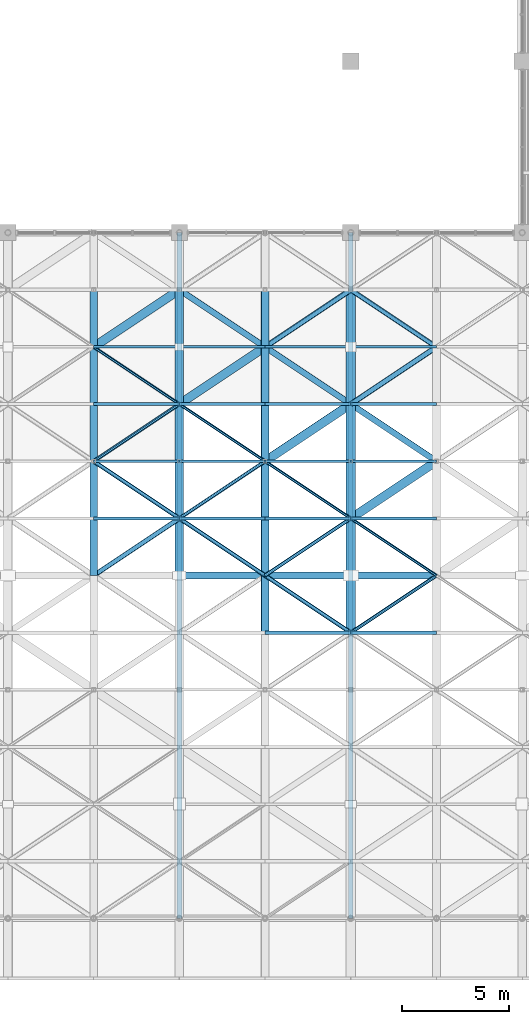
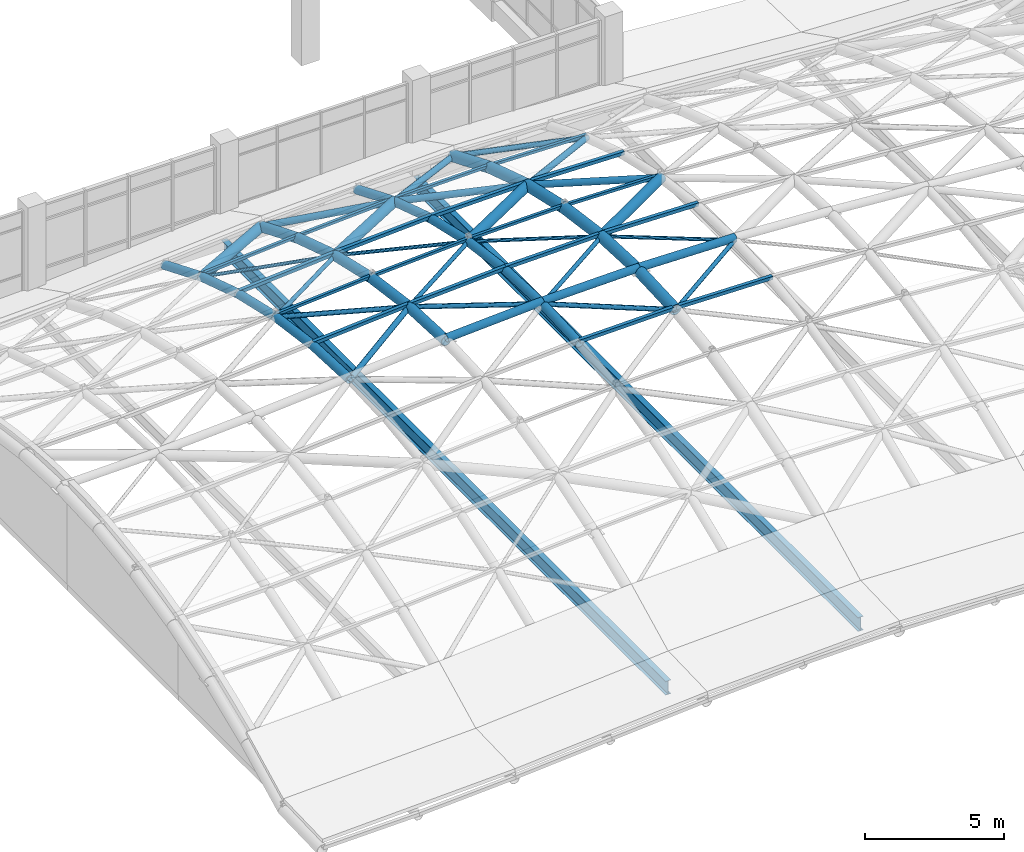
# One storey, part 30 of 72: 43 members, 24 beams.
"""IFC4 building model written with IfcOpenShell, lengths in metres."""

from ifc_helpers import new_model, si_unit, direction, frame, origin, origin_2d, place, context, subcontext, project, spatial, hollow_rectangle, hollow_circle, i_section, extrude, material, material_profile, profile_set, type_object, element, save


model = new_model("IFC4")

# Units and contexts
model_context = context("Model", 3, precision=1e-05, world=origin(), true_north=direction((0.0, 1.0)))
body_context = subcontext(model_context, "Body", "Model", "MODEL_VIEW")
ifc_project = project(units=[si_unit("LENGTHUNIT", "METRE"), si_unit("AREAUNIT", "SQUARE_METRE"), si_unit("VOLUMEUNIT", "CUBIC_METRE"), si_unit("PLANEANGLEUNIT", "RADIAN"), si_unit("MASSUNIT", "GRAM", prefix="KILO")], contexts=[model_context])

# Site, building, storey
site_placement = place(None, origin())
site = spatial("IfcSite", under=ifc_project, at=site_placement, CompositionType="ELEMENT")
building_placement = place(site_placement, origin())
building = spatial("IfcBuilding", under=site, at=building_placement, Name="Tenunan Teduh Sports Hall", CompositionType="ELEMENT")
storey_placement = place(building_placement, frame((0.0, 0.0, 15.0)))
storey = spatial("IfcBuildingStorey", under=building, at=storey_placement, Name="L03", CompositionType="ELEMENT", Elevation=15.0)

# Beams
ifc_material_1 = material(Name="Steel S355", Category="steel")
ifc_material_profile_1 = material_profile(ifc_material_1, hollow_circle(Radius=0.177734375, WallThickness=0.012451171875, at=origin_2d()), Name="CHS 355.6x12.5")
ifc_profile_set_1 = profile_set([ifc_material_profile_1], Name="Steel S355")
beam_type_1 = type_object("IfcBeamType", Name="GSB-CHS356", PredefinedType="BEAM", material=ifc_profile_set_1)
beam_1_placement = place(storey_placement, frame((134.0, 30.0, 4.6201171875), z_axis=(0.0, 0.998970613421, -0.045362027305), x_axis=(-1.0, 0.0, 0.0)))
element("IfcBeam", 1, at=beam_1_placement, inside=storey, type_object=beam_type_1, Name="Gridshell Vault Arch BM-GR-04-L03-0115", PredefinedType="BEAM", context=body_context, shape_type="SweptSolid", body=[
    extrude(hollow_circle(Radius=0.177734375, WallThickness=0.012451171875, at=origin_2d()), origin(), (0.0, 0.0, 1.0), 2.66943359375),
])
beam_2_placement = place(storey_placement, frame((134.0, 32.666748046875, 4.4990234375), z_axis=(0.0, 0.99065158568, -0.136416405866), x_axis=(-1.0, 0.0, 0.0)))
element("IfcBeam", 2, at=beam_2_placement, inside=storey, type_object=beam_type_1, Name="Gridshell Vault Arch BM-GR-04-L03-0116", PredefinedType="BEAM", context=body_context, shape_type="SweptSolid", body=[
    extrude(hollow_circle(Radius=0.177734375, WallThickness=0.012451171875, at=origin_2d()), origin(), (0.0, 0.0, 1.0), 2.691650390625),
])
beam_3_placement = place(storey_placement, frame((134.0, 35.333251953125, 4.1318359375), z_axis=(0.0, 0.974871798782, -0.222766640095), x_axis=(-1.0, 0.0, 0.0)))
element("IfcBeam", 3, at=beam_3_placement, inside=storey, type_object=beam_type_1, Name="Gridshell Vault Arch BM-GR-04-L03-0117", PredefinedType="BEAM", context=body_context, shape_type="SweptSolid", body=[
    extrude(hollow_circle(Radius=0.177734375, WallThickness=0.012451171875, at=origin_2d()), origin(), (0.0, 0.0, 1.0), 2.735595703125),
])
beam_4_placement = place(storey_placement, frame((134.0, 38.0, 3.5224609375), z_axis=(0.0, 0.952205270427, -0.305458872798), x_axis=(-1.0, 0.0, 0.0)))
element("IfcBeam", 4, at=beam_4_placement, inside=storey, type_object=beam_type_1, Name="Gridshell Vault Arch BM-GR-04-L03-0118", PredefinedType="BEAM", context=body_context, shape_type="SweptSolid", body=[
    extrude(hollow_circle(Radius=0.177734375, WallThickness=0.012451171875, at=origin_2d()), origin(), (0.0, 0.0, 1.0), 2.800537109375),
])
beam_5_placement = place(storey_placement, frame((134.0, 40.666748046875, 2.6669921875), z_axis=(0.0, 0.924239355634, -0.381813584748), x_axis=(-1.0, 0.0, 0.0)))
element("IfcBeam", 5, at=beam_5_placement, inside=storey, type_object=beam_type_1, Name="Gridshell Vault Arch BM-GR-04-L03-0119", PredefinedType="BEAM", context=body_context, shape_type="SweptSolid", body=[
    extrude(hollow_circle(Radius=0.177734375, WallThickness=0.012451171875, at=origin_2d()), origin(), (0.0, 0.0, 1.0), 2.885009765625),
])
for number, where, z_axis, x_axis, name in (
    (6, (142.0, 27.333251953125, 5.0185546875), (0.0, 0.998970613421, 0.045362027305), (-1.0, 0.0, 0.0), "Gridshell Vault Arch BM-GR-04-L03-0140"),
    (7, (142.0, 30.0, 5.1396484375), (0.0, 0.998970613421, -0.045362027305), (-1.0, 0.0, 0.0), "Gridshell Vault Arch BM-GR-04-L03-0141"),
):
    element("IfcBeam", number, at=place(storey_placement, frame(where, z_axis=z_axis, x_axis=x_axis)), inside=storey, type_object=beam_type_1, Name=name, PredefinedType="BEAM", context=body_context, shape_type="SweptSolid", body=[
        extrude(hollow_circle(Radius=0.177734375, WallThickness=0.012451171875, at=origin_2d()), origin(), (0.0, 0.0, 1.0), 2.66943359375),
    ])
beam_6_placement = place(storey_placement, frame((142.0, 32.666748046875, 5.0185546875), z_axis=(0.0, 0.99065158568, -0.136416405866), x_axis=(-1.0, 0.0, 0.0)))
element("IfcBeam", 8, at=beam_6_placement, inside=storey, type_object=beam_type_1, Name="Gridshell Vault Arch BM-GR-04-L03-0142", PredefinedType="BEAM", context=body_context, shape_type="SweptSolid", body=[
    extrude(hollow_circle(Radius=0.177734375, WallThickness=0.012451171875, at=origin_2d()), origin(), (0.0, 0.0, 1.0), 2.691650390625),
])
beam_7_placement = place(storey_placement, frame((142.0, 35.333251953125, 4.6513671875), z_axis=(0.0, 0.974871798782, -0.222766640095), x_axis=(-1.0, 0.0, 0.0)))
element("IfcBeam", 9, at=beam_7_placement, inside=storey, type_object=beam_type_1, Name="Gridshell Vault Arch BM-GR-04-L03-0143", PredefinedType="BEAM", context=body_context, shape_type="SweptSolid", body=[
    extrude(hollow_circle(Radius=0.177734375, WallThickness=0.012451171875, at=origin_2d()), origin(), (0.0, 0.0, 1.0), 2.735595703125),
])
beam_8_placement = place(storey_placement, frame((142.0, 38.0, 4.0419921875), z_axis=(0.0, 0.952205270427, -0.305458872798), x_axis=(-1.0, 0.0, 0.0)))
element("IfcBeam", 10, at=beam_8_placement, inside=storey, type_object=beam_type_1, Name="Gridshell Vault Arch BM-GR-04-L03-0144", PredefinedType="BEAM", context=body_context, shape_type="SweptSolid", body=[
    extrude(hollow_circle(Radius=0.177734375, WallThickness=0.012451171875, at=origin_2d()), origin(), (0.0, 0.0, 1.0), 2.800537109375),
])
beam_9_placement = place(storey_placement, frame((142.0, 40.666748046875, 3.1865234375), z_axis=(0.0, 0.924239355634, -0.381813584748), x_axis=(-1.0, 0.0, 0.0)))
element("IfcBeam", 11, at=beam_9_placement, inside=storey, type_object=beam_type_1, Name="Gridshell Vault Arch BM-GR-04-L03-0145", PredefinedType="BEAM", context=body_context, shape_type="SweptSolid", body=[
    extrude(hollow_circle(Radius=0.177734375, WallThickness=0.012451171875, at=origin_2d()), origin(), (0.0, 0.0, 1.0), 2.885009765625),
])
ifc_material_2 = material(Name="Steel S355", Category="steel")
ifc_material_profile_2 = material_profile(ifc_material_2, hollow_circle(Radius=0.203125, WallThickness=0.01611328125, at=origin_2d()), Name="CHS 406.4x16.0")
ifc_profile_set_2 = profile_set([ifc_material_profile_2], Name="Steel S355")
beam_type_2 = type_object("IfcBeamType", Name="GSB-CHS406", PredefinedType="BEAM", material=ifc_profile_set_2)
beam_10_placement = place(storey_placement, frame((138.0, 30.0, 4.9169921875), z_axis=(0.0, 0.998970613421, -0.045362027305), x_axis=(-1.0, 0.0, 0.0)))
element("IfcBeam", 12, at=beam_10_placement, inside=storey, type_object=beam_type_2, Name="Gridshell Vault Arch BM-GA-02-L03-0128", PredefinedType="BEAM", context=body_context, shape_type="SweptSolid", body=[
    extrude(hollow_circle(Radius=0.203125, WallThickness=0.01611328125, at=origin_2d()), origin(), (0.0, 0.0, 1.0), 2.66943359375),
])
beam_11_placement = place(storey_placement, frame((138.0, 32.666748046875, 4.7958984375), z_axis=(0.0, 0.99065158568, -0.136416405866), x_axis=(-1.0, 0.0, 0.0)))
element("IfcBeam", 13, at=beam_11_placement, inside=storey, type_object=beam_type_2, Name="Gridshell Vault Arch BM-GA-02-L03-0129", PredefinedType="BEAM", context=body_context, shape_type="SweptSolid", body=[
    extrude(hollow_circle(Radius=0.203125, WallThickness=0.01611328125, at=origin_2d()), origin(), (0.0, 0.0, 1.0), 2.691650390625),
])
beam_12_placement = place(storey_placement, frame((138.0, 35.333251953125, 4.4287109375), z_axis=(0.0, 0.974871798782, -0.222766640095), x_axis=(-1.0, 0.0, 0.0)))
element("IfcBeam", 14, at=beam_12_placement, inside=storey, type_object=beam_type_2, Name="Gridshell Vault Arch BM-GA-02-L03-0130", PredefinedType="BEAM", context=body_context, shape_type="SweptSolid", body=[
    extrude(hollow_circle(Radius=0.203125, WallThickness=0.01611328125, at=origin_2d()), origin(), (0.0, 0.0, 1.0), 2.735595703125),
])
beam_13_placement = place(storey_placement, frame((138.0, 38.0, 3.8193359375), z_axis=(0.0, 0.952205270427, -0.305458872798), x_axis=(-1.0, 0.0, 0.0)))
element("IfcBeam", 15, at=beam_13_placement, inside=storey, type_object=beam_type_2, Name="Gridshell Vault Arch BM-GA-02-L03-0131", PredefinedType="BEAM", context=body_context, shape_type="SweptSolid", body=[
    extrude(hollow_circle(Radius=0.203125, WallThickness=0.01611328125, at=origin_2d()), origin(), (0.0, 0.0, 1.0), 2.800537109375),
])
beam_14_placement = place(storey_placement, frame((138.0, 40.666748046875, 2.9638671875), z_axis=(0.0, 0.924239355634, -0.381813584748), x_axis=(-1.0, 0.0, 0.0)))
element("IfcBeam", 16, at=beam_14_placement, inside=storey, type_object=beam_type_2, Name="Gridshell Vault Arch BM-GA-02-L03-0132", PredefinedType="BEAM", context=body_context, shape_type="SweptSolid", body=[
    extrude(hollow_circle(Radius=0.203125, WallThickness=0.01611328125, at=origin_2d()), origin(), (0.0, 0.0, 1.0), 2.885009765625),
])
ifc_material_3 = material(Name="Steel S355", Category="steel")
ifc_material_profile_3 = material_profile(ifc_material_3, hollow_circle(Radius=0.228515625, WallThickness=0.01611328125, at=origin_2d()), Name="CHS 457.0x16.0")
ifc_profile_set_3 = profile_set([ifc_material_profile_3], Name="Steel S355")
beam_type_3 = type_object("IfcBeamType", Name="GSB-CHS457", PredefinedType="BEAM", material=ifc_profile_set_3)
for number, where, z_axis, x_axis, name in (
    (17, (146.0, 27.333251953125, 5.0966796875), (0.0, 0.998970613421, 0.045362027305), (-1.0, 0.0, 0.0), "Gridshell Vault Arch BM-GA-01-L03-0153"),
    (18, (146.0, 30.0, 5.2177734375), (0.0, 0.998970613421, -0.045362027305), (-1.0, 0.0, 0.0), "Gridshell Vault Arch BM-GA-01-L03-0154"),
):
    element("IfcBeam", number, at=place(storey_placement, frame(where, z_axis=z_axis, x_axis=x_axis)), inside=storey, type_object=beam_type_3, Name=name, PredefinedType="BEAM", context=body_context, shape_type="SweptSolid", body=[
        extrude(hollow_circle(Radius=0.228515625, WallThickness=0.01611328125, at=origin_2d()), origin(), (0.0, 0.0, 1.0), 2.66943359375),
    ])
beam_15_placement = place(storey_placement, frame((146.0, 32.666748046875, 5.0966796875), z_axis=(0.0, 0.99065158568, -0.136416405866), x_axis=(-1.0, 0.0, 0.0)))
element("IfcBeam", 19, at=beam_15_placement, inside=storey, type_object=beam_type_3, Name="Gridshell Vault Arch BM-GA-01-L03-0155", PredefinedType="BEAM", context=body_context, shape_type="SweptSolid", body=[
    extrude(hollow_circle(Radius=0.228515625, WallThickness=0.01611328125, at=origin_2d()), origin(), (0.0, 0.0, 1.0), 2.691650390625),
])
beam_16_placement = place(storey_placement, frame((146.0, 35.333251953125, 4.7294921875), z_axis=(0.0, 0.974871798782, -0.222766640095), x_axis=(-1.0, 0.0, 0.0)))
element("IfcBeam", 20, at=beam_16_placement, inside=storey, type_object=beam_type_3, Name="Gridshell Vault Arch BM-GA-01-L03-0156", PredefinedType="BEAM", context=body_context, shape_type="SweptSolid", body=[
    extrude(hollow_circle(Radius=0.228515625, WallThickness=0.01611328125, at=origin_2d()), origin(), (0.0, 0.0, 1.0), 2.735595703125),
])
beam_17_placement = place(storey_placement, frame((146.0, 38.0, 4.1201171875), z_axis=(0.0, 0.952205270427, -0.305458872798), x_axis=(-1.0, 0.0, 0.0)))
element("IfcBeam", 21, at=beam_17_placement, inside=storey, type_object=beam_type_3, Name="Gridshell Vault Arch BM-GA-01-L03-0157", PredefinedType="BEAM", context=body_context, shape_type="SweptSolid", body=[
    extrude(hollow_circle(Radius=0.228515625, WallThickness=0.01611328125, at=origin_2d()), origin(), (0.0, 0.0, 1.0), 2.800537109375),
])
beam_18_placement = place(storey_placement, frame((146.0, 40.666748046875, 3.2646484375), z_axis=(0.0, 0.924239355634, -0.381813584748), x_axis=(-1.0, 0.0, 0.0)))
element("IfcBeam", 22, at=beam_18_placement, inside=storey, type_object=beam_type_3, Name="Gridshell Vault Arch BM-GA-01-L03-0158", PredefinedType="BEAM", context=body_context, shape_type="SweptSolid", body=[
    extrude(hollow_circle(Radius=0.228515625, WallThickness=0.01611328125, at=origin_2d()), origin(), (0.0, 0.0, 1.0), 2.885009765625),
])

# Members
ifc_material_4 = material(Name="Steel S355", Category="steel")
ifc_material_profile_4 = material_profile(ifc_material_4, hollow_circle(Radius=0.06982421875, WallThickness=0.00634765625, at=origin_2d()), Name="CHS 139.7x6.3")
ifc_profile_set_4 = profile_set([ifc_material_profile_4], Name="Steel S355")
member_type_1 = type_object("IfcMemberType", Name="MEM-BR-CHS140", PredefinedType="BRACE", material=ifc_profile_set_4)
member_1_placement = place(storey_placement, frame((134.0, 40.666748046875, 2.6669921875), z_axis=(0.809122643015, -0.539431556986, 0.233096855166), x_axis=(0.554711915519, 0.832042481356, 0.0)))
element("IfcMember", 23, at=member_1_placement, inside=storey, type_object=member_type_1, Name="MEM-GD-05-L03-0195", PredefinedType="BRACE", context=body_context, shape_type="SweptSolid", body=[
    extrude(hollow_circle(Radius=0.06982421875, WallThickness=0.00634765625, at=origin_2d()), origin(), (0.0, 0.0, 1.0), 4.943603515625),
])
member_2_placement = place(storey_placement, frame((138.0, 38.0, 3.8193359375), z_axis=(0.819854249559, -0.546586179684, 0.17053608902), x_axis=(0.554711915519, 0.832042481356, 0.0)))
element("IfcMember", 24, at=member_2_placement, inside=storey, type_object=member_type_1, Name="MEM-GD-05-L03-0220", PredefinedType="BRACE", context=body_context, shape_type="SweptSolid", body=[
    extrude(hollow_circle(Radius=0.06982421875, WallThickness=0.00634765625, at=origin_2d()), origin(), (0.0, 0.0, 1.0), 4.87890625),
])
member_3_placement = place(storey_placement, frame((142.0, 35.333251953125, 4.6513671875), z_axis=(0.828518856443, -0.552312191777, 0.092237450815), x_axis=(0.554676756648, 0.832065920246, 0.0)))
element("IfcMember", 25, at=member_3_placement, inside=storey, type_object=member_type_1, Name="MEM-GD-05-L03-0245", PredefinedType="BRACE", context=body_context, shape_type="SweptSolid", body=[
    extrude(hollow_circle(Radius=0.06982421875, WallThickness=0.00634765625, at=origin_2d()), origin(), (0.0, 0.0, 1.0), 4.827880859375),
])
member_4_placement = place(storey_placement, frame((146.0, 32.666748046875, 5.0966796875), z_axis=(0.832009248632, -0.554689759693, 0.008937599351), x_axis=(0.554711915519, 0.832042481356, 0.0)))
element("IfcMember", 26, at=member_4_placement, inside=storey, type_object=member_type_1, Name="MEM-GD-05-L03-0270", PredefinedType="BRACE", context=body_context, shape_type="SweptSolid", body=[
    extrude(hollow_circle(Radius=0.06982421875, WallThickness=0.00634765625, at=origin_2d()), origin(), (0.0, 0.0, 1.0), 4.8076171875),
])
ifc_material_5 = material(Name="Steel S355", Category="steel")
ifc_material_profile_5 = material_profile(ifc_material_5, hollow_circle(Radius=0.084228515625, WallThickness=0.008056640625, at=origin_2d()), Name="CHS 168.3x8.0")
ifc_profile_set_5 = profile_set([ifc_material_profile_5], Name="Steel S355")
member_type_2 = type_object("IfcMemberType", Name="MEM-BR-CHS168", PredefinedType="BRACE", material=ifc_profile_set_5)
member_5_placement = place(storey_placement, frame((134.0, 35.333251953125, 4.1318359375), z_axis=(0.83029016339, 0.55354366789, -0.064866419015), x_axis=(-0.554711915519, 0.832042481356, 0.0)))
element("IfcMember", 27, at=member_5_placement, inside=storey, type_object=member_type_2, Name="MEM-GD-04-L03-0194", PredefinedType="BRACE", context=body_context, shape_type="SweptSolid", body=[
    extrude(hollow_circle(Radius=0.084228515625, WallThickness=0.008056640625, at=origin_2d()), origin(), (0.0, 0.0, 1.0), 4.817626953125),
])
member_6_placement = place(storey_placement, frame((138.0, 32.666748046875, 4.7958984375), z_axis=(0.831690123992, 0.554426241103, -0.030051303308), x_axis=(-0.554676756648, 0.832065920246, 0.0)))
element("IfcMember", 28, at=member_6_placement, inside=storey, type_object=member_type_2, Name="MEM-GD-04-L03-0219", PredefinedType="BRACE", context=body_context, shape_type="SweptSolid", body=[
    extrude(hollow_circle(Radius=0.084228515625, WallThickness=0.008056640625, at=origin_2d()), origin(), (0.0, 0.0, 1.0), 4.8095703125),
])
for number, where, z_axis, x_axis, name in (
    (29, (142.0, 30.0, 5.1396484375), (0.832009248632, 0.554689759693, -0.008937599351), (-0.554711915519, 0.832042481356, 0.0), "MEM-GD-04-L03-0244"),
    (30, (146.0, 27.333251953125, 5.0966796875), (0.832009248632, 0.554689759693, 0.008937599351), (-0.554711915519, 0.832042481356, 0.0), "MEM-GD-04-L03-0269"),
):
    element("IfcMember", number, at=place(storey_placement, frame(where, z_axis=z_axis, x_axis=x_axis)), inside=storey, type_object=member_type_2, Name=name, PredefinedType="BRACE", context=body_context, shape_type="SweptSolid", body=[
        extrude(hollow_circle(Radius=0.084228515625, WallThickness=0.008056640625, at=origin_2d()), origin(), (0.0, 0.0, 1.0), 4.8076171875),
    ])
ifc_material_6 = material(Name="Steel S355", Category="steel")
ifc_material_profile_6 = material_profile(ifc_material_6, hollow_circle(Radius=0.096923828125, WallThickness=0.008056640625, at=origin_2d()), Name="CHS 193.7x8.0")
ifc_profile_set_6 = profile_set([ifc_material_profile_6], Name="Steel S355")
member_type_3 = type_object("IfcMemberType", Name="MEM-BR-CHS194", PredefinedType="BRACE", material=ifc_profile_set_6)
member_7_placement = place(storey_placement, frame((134.0, 35.333251953125, 4.1318359375), z_axis=(0.824239204019, -0.5494592643, 0.136836586605), x_axis=(0.554676756648, 0.832065920246, 0.0)))
element("IfcMember", 31, at=member_7_placement, inside=storey, type_object=member_type_3, Name="MEM-GD-03-L03-0193", PredefinedType="BRACE", context=body_context, shape_type="SweptSolid", body=[
    extrude(hollow_circle(Radius=0.096923828125, WallThickness=0.008056640625, at=origin_2d()), origin(), (0.0, 0.0, 1.0), 4.85302734375),
])
member_8_placement = place(storey_placement, frame((138.0, 32.666748046875, 4.7958984375), z_axis=(0.829923581214, -0.553299272314, 0.071321557761), x_axis=(0.554711915519, 0.832042481356, 0.0)))
element("IfcMember", 32, at=member_8_placement, inside=storey, type_object=member_type_3, Name="MEM-GD-03-L03-0218", PredefinedType="BRACE", context=body_context, shape_type="SweptSolid", body=[
    extrude(hollow_circle(Radius=0.096923828125, WallThickness=0.008056640625, at=origin_2d()), origin(), (0.0, 0.0, 1.0), 4.81982421875),
])
member_9_placement = place(storey_placement, frame((142.0, 30.0, 5.1396484375), z_axis=(0.832009248632, -0.554689759693, -0.008937599351), x_axis=(0.554711915519, 0.832042481356, 0.0)))
element("IfcMember", 33, at=member_9_placement, inside=storey, type_object=member_type_3, Name="MEM-GD-03-L03-0243", PredefinedType="BRACE", context=body_context, shape_type="SweptSolid", body=[
    extrude(hollow_circle(Radius=0.096923828125, WallThickness=0.008056640625, at=origin_2d()), origin(), (0.0, 0.0, 1.0), 4.8076171875),
])
ifc_material_7 = material(Name="Steel S355", Category="steel")
ifc_material_profile_7 = material_profile(ifc_material_7, hollow_circle(Radius=0.109619140625, WallThickness=0.010009765625, at=origin_2d()), Name="CHS 219.1x10.0")
ifc_profile_set_7 = profile_set([ifc_material_profile_7], Name="Steel S355")
member_type_4 = type_object("IfcMemberType", Name="MEM-BR-CHS219", PredefinedType="BRACE", material=ifc_profile_set_7)
member_10_placement = place(storey_placement, frame((134.0, 30.0, 4.6201171875), z_axis=(0.831486837632, 0.554341475065, 0.036539948919), x_axis=(-0.554711915519, 0.832042481356, 0.0)))
element("IfcMember", 34, at=member_10_placement, inside=storey, type_object=member_type_4, Name="MEM-GD-02-L03-0192", PredefinedType="BRACE", context=body_context, shape_type="SweptSolid", body=[
    extrude(hollow_circle(Radius=0.109619140625, WallThickness=0.010009765625, at=origin_2d()), origin(), (0.0, 0.0, 1.0), 4.810546875),
])
member_11_placement = place(storey_placement, frame((146.0, 43.333251953125, 2.1630859375), z_axis=(0.813827746472, -0.542518716245, 0.20822545857), x_axis=(0.554676756648, 0.832065920246, 0.0)))
element("IfcMember", 35, at=member_11_placement, inside=storey, type_object=member_type_4, Name="MEM-GD-02-L03-0274", PredefinedType="BRACE", context=body_context, shape_type="SweptSolid", body=[
    extrude(hollow_circle(Radius=0.109619140625, WallThickness=0.010009765625, at=origin_2d()), origin(), (0.0, 0.0, 1.0), 4.9150390625),
])
ifc_material_8 = material(Name="Steel S355", Category="steel")
ifc_material_profile_8 = material_profile(ifc_material_8, hollow_circle(Radius=0.122314453125, WallThickness=0.010009765625, at=origin_2d()), Name="CHS 244.5x10.0")
ifc_profile_set_8 = profile_set([ifc_material_profile_8], Name="Steel S355")
member_type_5 = type_object("IfcMemberType", Name="MEM-BR-CHS245", PredefinedType="BRACE", material=ifc_profile_set_8)
member_12_placement = place(storey_placement, frame((142.0, 40.666748046875, 3.1865234375), z_axis=(0.813827746472, 0.542518716245, -0.20822545857), x_axis=(-0.554676756648, 0.832065920246, 0.0)))
element("IfcMember", 36, at=member_12_placement, inside=storey, type_object=member_type_5, Name="MEM-GD-01-L03-0248", PredefinedType="BRACE", context=body_context, shape_type="SweptSolid", body=[
    extrude(hollow_circle(Radius=0.122314453125, WallThickness=0.010009765625, at=origin_2d()), origin(), (0.0, 0.0, 1.0), 4.9150390625),
])
member_13_placement = place(storey_placement, frame((146.0, 38.0, 4.1201171875), z_axis=(0.816783485072, 0.544538940884, -0.190635989192), x_axis=(-0.554711915519, 0.832042481356, 0.0)))
element("IfcMember", 37, at=member_13_placement, inside=storey, type_object=member_type_5, Name="MEM-GD-01-L03-0273", PredefinedType="BRACE", context=body_context, shape_type="SweptSolid", body=[
    extrude(hollow_circle(Radius=0.122314453125, WallThickness=0.010009765625, at=origin_2d()), origin(), (0.0, 0.0, 1.0), 4.897216796875),
])
ifc_material_9 = material(Name="Steel S355", Category="steel")
ifc_material_profile_9 = material_profile(ifc_material_9, hollow_circle(Radius=0.136474609375, WallThickness=0.010009765625, at=origin_2d()), Name="CHS 273.0x10.0")
ifc_profile_set_9 = profile_set([ifc_material_profile_9], Name="Steel S355")
member_type_6 = type_object("IfcMemberType", Name="MEM-CH-CHS273", PredefinedType="CHORD", material=ifc_profile_set_9)
member_14_placement = place(storey_placement, frame((138.0, 43.333251953125, 1.8623046875), z_axis=(0.802188170965, -0.534759472856, 0.265568154255), x_axis=(0.554676756648, 0.832065920246, 0.0)))
element("IfcMember", 38, at=member_14_placement, inside=storey, type_object=member_type_6, Name="MEM-GC-03-L03-0222", PredefinedType="CHORD", context=body_context, shape_type="SweptSolid", body=[
    extrude(hollow_circle(Radius=0.136474609375, WallThickness=0.010009765625, at=origin_2d()), origin(), (0.0, 0.0, 1.0), 4.986328125),
])
member_15_placement = place(storey_placement, frame((142.0, 40.666748046875, 3.1865234375), z_axis=(0.816783485072, -0.544538940884, 0.190635989192), x_axis=(0.554711915519, 0.832042481356, 0.0)))
element("IfcMember", 39, at=member_15_placement, inside=storey, type_object=member_type_6, Name="MEM-GC-03-L03-0247", PredefinedType="CHORD", context=body_context, shape_type="SweptSolid", body=[
    extrude(hollow_circle(Radius=0.136474609375, WallThickness=0.010009765625, at=origin_2d()), origin(), (0.0, 0.0, 1.0), 4.897216796875),
])
member_16_placement = place(storey_placement, frame((146.0, 38.0, 4.1201171875), z_axis=(0.827008298799, -0.551355691393, 0.109837039684), x_axis=(0.554711915519, 0.832042481356, 0.0)))
element("IfcMember", 40, at=member_16_placement, inside=storey, type_object=member_type_6, Name="MEM-GC-03-L03-0272", PredefinedType="CHORD", context=body_context, shape_type="SweptSolid", body=[
    extrude(hollow_circle(Radius=0.136474609375, WallThickness=0.010009765625, at=origin_2d()), origin(), (0.0, 0.0, 1.0), 4.836669921875),
])
ifc_material_10 = material(Name="Steel S355", Category="steel")
ifc_material_profile_10 = material_profile(ifc_material_10, hollow_circle(Radius=0.161865234375, WallThickness=0.012451171875, at=origin_2d()), Name="CHS 323.9x12.5")
ifc_profile_set_10 = profile_set([ifc_material_profile_10], Name="Steel S355")
member_type_7 = type_object("IfcMemberType", Name="MEM-CH-CHS324", PredefinedType="CHORD", material=ifc_profile_set_10)
member_17_placement = place(storey_placement, frame((138.0, 30.0, 5.036865234375), z_axis=(0.998454347037, 0.0, 0.055578025177), x_axis=(0.0, 1.0, 0.0)))
element("IfcMember", 41, at=member_17_placement, inside=storey, type_object=member_type_7, Name="MEM-GC-02-L03-0205", PredefinedType="CHORD", context=body_context, shape_type="SweptSolid", body=[
    extrude(hollow_circle(Radius=0.161865234375, WallThickness=0.012451171875, at=origin_2d()), origin(), (0.0, 0.0, 1.0), 4.006103515625),
])
for number, where, z_axis, x_axis, name in (
    (42, (142.0, 30.0, 5.259521484375), (0.999809319689, 0.0, 0.019527525775), (0.0, 1.0, 0.0), "MEM-GC-02-L03-0231"),
    (43, (146.0, 30.0, 5.337646484375), (0.999809319689, 0.0, -0.019527525775), (0.0, 1.0, 0.0), "MEM-GC-02-L03-0257"),
):
    element("IfcMember", number, at=place(storey_placement, frame(where, z_axis=z_axis, x_axis=x_axis)), inside=storey, type_object=member_type_7, Name=name, PredefinedType="CHORD", context=body_context, shape_type="SweptSolid", body=[
        extrude(hollow_circle(Radius=0.161865234375, WallThickness=0.012451171875, at=origin_2d()), origin(), (0.0, 0.0, 1.0), 4.000732421875),
    ])
ifc_material_11 = material(Name="Steel S355", Category="steel")
ifc_material_profile_11 = material_profile(ifc_material_11, hollow_circle(Radius=0.203125, WallThickness=0.012451171875, at=origin_2d()), Name="CHS 406.4x12.5")
ifc_profile_set_11 = profile_set([ifc_material_profile_11], Name="Steel S355")
member_type_8 = type_object("IfcMemberType", Name="MEM-CH-CHS406L", PredefinedType="CHORD", material=ifc_profile_set_11)
member_18_placement = place(storey_placement, frame((134.0, 40.666748046875, 2.6669921875), z_axis=(0.820648537247, 0.547065632557, -0.165091404954), x_axis=(-0.554676756648, 0.832065920246, 0.0)))
element("IfcMember", 44, at=member_18_placement, inside=storey, type_object=member_type_8, Name="MEM-GC-01-L03-0196", PredefinedType="CHORD", context=body_context, shape_type="SweptSolid", body=[
    extrude(hollow_circle(Radius=0.203125, WallThickness=0.012451171875, at=origin_2d()), origin(), (0.0, 0.0, 1.0), 4.874267578125),
])
member_19_placement = place(storey_placement, frame((138.0, 38.0, 3.8193359375), z_axis=(0.824926460417, 0.549967756783, -0.130505943933), x_axis=(-0.554711915519, 0.832042481356, 0.0)))
element("IfcMember", 45, at=member_19_placement, inside=storey, type_object=member_type_8, Name="MEM-GC-01-L03-0221", PredefinedType="CHORD", context=body_context, shape_type="SweptSolid", body=[
    extrude(hollow_circle(Radius=0.203125, WallThickness=0.012451171875, at=origin_2d()), origin(), (0.0, 0.0, 1.0), 4.848876953125),
])
member_20_placement = place(storey_placement, frame((142.0, 35.333251953125, 4.6513671875), z_axis=(0.827008298799, 0.551355691393, -0.109837039684), x_axis=(-0.554711915519, 0.832042481356, 0.0)))
element("IfcMember", 46, at=member_20_placement, inside=storey, type_object=member_type_8, Name="MEM-GC-01-L03-0246", PredefinedType="CHORD", context=body_context, shape_type="SweptSolid", body=[
    extrude(hollow_circle(Radius=0.203125, WallThickness=0.012451171875, at=origin_2d()), origin(), (0.0, 0.0, 1.0), 4.836669921875),
])
member_21_placement = place(storey_placement, frame((146.0, 32.666748046875, 5.0966796875), z_axis=(0.828518856443, 0.552312191777, -0.092237450815), x_axis=(-0.554676756648, 0.832065920246, 0.0)))
element("IfcMember", 47, at=member_21_placement, inside=storey, type_object=member_type_8, Name="MEM-GC-01-L03-0271", PredefinedType="CHORD", context=body_context, shape_type="SweptSolid", body=[
    extrude(hollow_circle(Radius=0.203125, WallThickness=0.012451171875, at=origin_2d()), origin(), (0.0, 0.0, 1.0), 4.827880859375),
])
ifc_material_12 = material(Name="Steel S355", Category="steel")
ifc_material_profile_12 = material_profile(ifc_material_12, hollow_rectangle(XDim=0.1201171875, YDim=0.1201171875, WallThickness=0.00634765625, at=origin_2d()), Name="SHS 120x120x6.3")
ifc_profile_set_12 = profile_set([ifc_material_profile_12], Name="Steel S355")
member_type_9 = type_object("IfcMemberType", Name="MEM-PR-SHS120", PredefinedType="PURLIN", material=ifc_profile_set_12)
for number, where, z_axis, x_axis, name in (
    (48, (134.0, 35.333251953125, 4.251708984375), (0.997257115114, 0.0, 0.074015176512), (0.0, 1.0, 0.0), "MEM-PR-02-L03-0181"),
    (49, (134.0, 40.666748046875, 2.786865234375), (0.997257115114, 0.0, 0.074015176512), (0.0, 1.0, 0.0), "MEM-PR-02-L03-0183"),
):
    element("IfcMember", number, at=place(storey_placement, frame(where, z_axis=z_axis, x_axis=x_axis)), inside=storey, type_object=member_type_9, Name=name, PredefinedType="PURLIN", context=body_context, shape_type="SweptSolid", body=[
        extrude(hollow_rectangle(XDim=0.1201171875, YDim=0.1201171875, WallThickness=0.00634765625, at=origin_2d()), origin(), (0.0, 0.0, 1.0), 4.010986328125),
    ])
for number, where, z_axis, x_axis, name in (
    (50, (138.0, 35.333251953125, 4.548583984375), (0.998454347037, 0.0, 0.055578025177), (0.0, 1.0, 0.0), "MEM-PR-02-L03-0207"),
    (51, (138.0, 40.666748046875, 3.083740234375), (0.998454347037, 0.0, 0.055578025177), (0.0, 1.0, 0.0), "MEM-PR-02-L03-0209"),
):
    element("IfcMember", number, at=place(storey_placement, frame(where, z_axis=z_axis, x_axis=x_axis)), inside=storey, type_object=member_type_9, Name=name, PredefinedType="PURLIN", context=body_context, shape_type="SweptSolid", body=[
        extrude(hollow_rectangle(XDim=0.1201171875, YDim=0.1201171875, WallThickness=0.00634765625, at=origin_2d()), origin(), (0.0, 0.0, 1.0), 4.006103515625),
    ])
for number, where, z_axis, x_axis, name in (
    (52, (142.0, 35.333251953125, 4.771240234375), (0.999809319689, 0.0, 0.019527525775), (0.0, 1.0, 0.0), "MEM-PR-02-L03-0233"),
    (53, (142.0, 40.666748046875, 3.306396484375), (0.999809319689, 0.0, 0.019527525775), (0.0, 1.0, 0.0), "MEM-PR-02-L03-0235"),
    (54, (146.0, 35.333251953125, 4.849365234375), (0.999809319689, 0.0, -0.019527525775), (0.0, 1.0, 0.0), "MEM-PR-02-L03-0259"),
    (55, (146.0, 40.666748046875, 3.384521484375), (0.999809319689, 0.0, -0.019527525775), (0.0, 1.0, 0.0), "MEM-PR-02-L03-0261"),
):
    element("IfcMember", number, at=place(storey_placement, frame(where, z_axis=z_axis, x_axis=x_axis)), inside=storey, type_object=member_type_9, Name=name, PredefinedType="PURLIN", context=body_context, shape_type="SweptSolid", body=[
        extrude(hollow_rectangle(XDim=0.1201171875, YDim=0.1201171875, WallThickness=0.00634765625, at=origin_2d()), origin(), (0.0, 0.0, 1.0), 4.000732421875),
    ])
ifc_material_13 = material(Name="Steel S355", Category="steel")
ifc_material_profile_13 = material_profile(ifc_material_13, hollow_rectangle(XDim=0.14990234375, YDim=0.14990234375, WallThickness=0.008056640625, at=origin_2d()), Name="SHS 150x150x8.0")
ifc_profile_set_13 = profile_set([ifc_material_profile_13], Name="Steel S355")
member_type_10 = type_object("IfcMemberType", Name="MEM-PR-SHS150", PredefinedType="PURLIN", material=ifc_profile_set_13)
for number, where, z_axis, x_axis, name in (
    (56, (134.0, 32.666748046875, 4.618896484375), (0.997257115114, 0.0, 0.074015176512), (0.0, 1.0, 0.0), "MEM-PR-01-L03-0180"),
    (57, (134.0, 38.0, 3.642333984375), (0.997257115114, 0.0, 0.074015176512), (0.0, 1.0, 0.0), "MEM-PR-01-L03-0182"),
):
    element("IfcMember", number, at=place(storey_placement, frame(where, z_axis=z_axis, x_axis=x_axis)), inside=storey, type_object=member_type_10, Name=name, PredefinedType="PURLIN", context=body_context, shape_type="SweptSolid", body=[
        extrude(hollow_rectangle(XDim=0.14990234375, YDim=0.14990234375, WallThickness=0.008056640625, at=origin_2d()), origin(), (0.0, 0.0, 1.0), 4.010986328125),
    ])
for number, where, z_axis, x_axis, name in (
    (58, (138.0, 32.666748046875, 4.915771484375), (0.998454347037, 0.0, 0.055578025177), (0.0, 1.0, 0.0), "MEM-PR-01-L03-0206"),
    (59, (138.0, 38.0, 3.939208984375), (0.998454347037, 0.0, 0.055578025177), (0.0, 1.0, 0.0), "MEM-PR-01-L03-0208"),
):
    element("IfcMember", number, at=place(storey_placement, frame(where, z_axis=z_axis, x_axis=x_axis)), inside=storey, type_object=member_type_10, Name=name, PredefinedType="PURLIN", context=body_context, shape_type="SweptSolid", body=[
        extrude(hollow_rectangle(XDim=0.14990234375, YDim=0.14990234375, WallThickness=0.008056640625, at=origin_2d()), origin(), (0.0, 0.0, 1.0), 4.006103515625),
    ])
for number, where, z_axis, x_axis, name in (
    (60, (142.0, 27.333251953125, 5.138427734375), (0.999809319689, 0.0, 0.019527525775), (0.0, 1.0, 0.0), "MEM-PR-01-L03-0230"),
    (61, (142.0, 32.666748046875, 5.138427734375), (0.999809319689, 0.0, 0.019527525775), (0.0, 1.0, 0.0), "MEM-PR-01-L03-0232"),
    (62, (142.0, 38.0, 4.161865234375), (0.999809319689, 0.0, 0.019527525775), (0.0, 1.0, 0.0), "MEM-PR-01-L03-0234"),
    (63, (146.0, 27.333251953125, 5.216552734375), (0.999809319689, 0.0, -0.019527525775), (0.0, 1.0, 0.0), "MEM-PR-01-L03-0256"),
    (64, (146.0, 32.666748046875, 5.216552734375), (0.999809319689, 0.0, -0.019527525775), (0.0, 1.0, 0.0), "MEM-PR-01-L03-0258"),
    (65, (146.0, 38.0, 4.239990234375), (0.999809319689, 0.0, -0.019527525775), (0.0, 1.0, 0.0), "MEM-PR-01-L03-0260"),
):
    element("IfcMember", number, at=place(storey_placement, frame(where, z_axis=z_axis, x_axis=x_axis)), inside=storey, type_object=member_type_10, Name=name, PredefinedType="PURLIN", context=body_context, shape_type="SweptSolid", body=[
        extrude(hollow_rectangle(XDim=0.14990234375, YDim=0.14990234375, WallThickness=0.008056640625, at=origin_2d()), origin(), (0.0, 0.0, 1.0), 4.000732421875),
    ])

# Beams
ifc_material_14 = material(Name="Steel S355", Category="steel")
ifc_material_profile_14 = material_profile(ifc_material_14, i_section(OverallWidth=0.22900390625, OverallDepth=0.6123046875, WebThickness=0.011962890625, FlangeThickness=0.01953125, FilletRadius=0.0126953125, at=origin_2d()), Name="UKB 610x229x125")
ifc_profile_set_14 = profile_set([ifc_material_profile_14], Name="Steel S355")
beam_type_4 = type_object("IfcBeamType", Name="SBM-UKB610", PredefinedType="BEAM", material=ifc_profile_set_14)
for number, where, z_axis, x_axis, name in (
    (66, (138.0, 14.0, -0.626220703125), (0.0, 1.0, 0.0), (-1.0, 0.0, 0.0), "BM-SB-06-L03-0065"),
    (67, (146.0, 14.0, -0.626220703125), (0.0, 1.0, 0.0), (-1.0, 0.0, 0.0), "BM-SB-06-L03-0066"),
):
    element("IfcBeam", number, at=place(storey_placement, frame(where, z_axis=z_axis, x_axis=x_axis)), inside=storey, type_object=beam_type_4, Name=name, PredefinedType="BEAM", context=body_context, shape_type="SweptSolid", body=[
        extrude(i_section(OverallWidth=0.22900390625, OverallDepth=0.6123046875, WebThickness=0.011962890625, FlangeThickness=0.01953125, FilletRadius=0.0126953125, at=origin_2d()), origin(), (0.0, 0.0, 1.0), 32.0),
    ])

save(model, "model.ifc")
